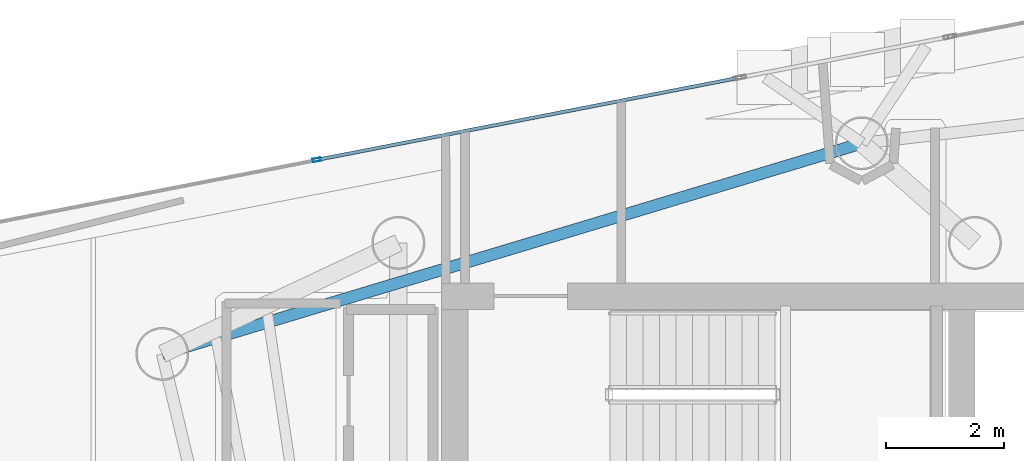
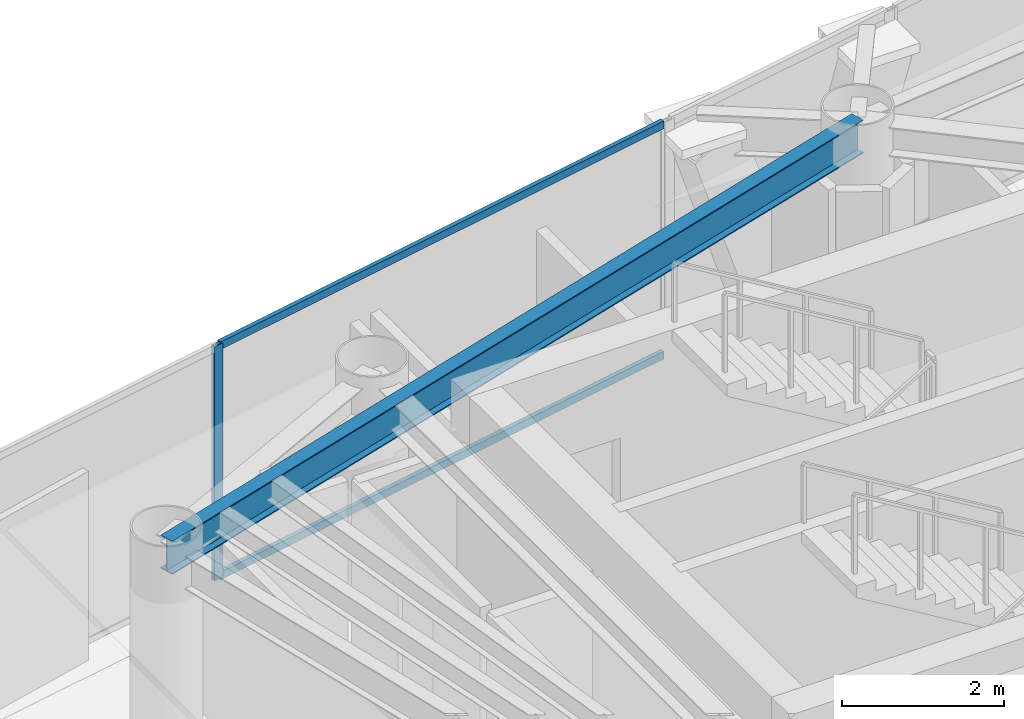
# One storey, part 10 of 22: 3 members, 1 beam, 1 element without a shape of its own.
"""IFC4 building model written with IfcOpenShell, lengths in metres."""

from ifc_helpers import new_model, si_unit, direction, frame, origin, origin_2d, place, context, subcontext, project, spatial, hollow_rectangle, i_section, extrude, material, layer, layer_set, material_profile, profile_set, type_object, element, aggregate, save


model = new_model("IFC4")

# Units and contexts
model_context = context("Model", 3, precision=1e-05, world=origin(), true_north=direction((0.0, 1.0)))
body_context = subcontext(model_context, "Body", "Model", "MODEL_VIEW")
ifc_project = project(units=[si_unit("LENGTHUNIT", "METRE"), si_unit("AREAUNIT", "SQUARE_METRE"), si_unit("VOLUMEUNIT", "CUBIC_METRE"), si_unit("PLANEANGLEUNIT", "RADIAN"), si_unit("MASSUNIT", "GRAM", prefix="KILO")], contexts=[model_context])

# Site, building, storey
site_placement = place(None, origin())
site = spatial("IfcSite", under=ifc_project, at=site_placement, CompositionType="ELEMENT")
building_placement = place(site_placement, origin())
building = spatial("IfcBuilding", under=site, at=building_placement, Name="Qianvela Tower", CompositionType="ELEMENT")
storey_placement = place(building_placement, frame((0.0, 0.0, 299.10009765625)))
storey = spatial("IfcBuildingStorey", under=building, at=storey_placement, Name="L77", CompositionType="ELEMENT", Elevation=299.10009765625)

# Beam
ifc_material_1 = material(Name="Steel Q355B", Category="steel")
ifc_material_profile_1 = material_profile(ifc_material_1, i_section(OverallWidth=0.199951171875, OverallDepth=0.5, WebThickness=0.010009765625, FlangeThickness=0.01611328125, at=origin_2d()), Name="HN500x200x10x16")
ifc_profile_set_1 = profile_set([ifc_material_profile_1], Name="Steel Q355B")
beam_type = type_object("IfcBeamType", Name="BM-HN500-GIRD", PredefinedType="BEAM", material=ifc_profile_set_1)
beam_placement = place(storey_placement, frame((36.47607421875, 35.242919921875, 3.267822265625), z_axis=(-0.957535726794, -0.288314640478, 0.0), x_axis=(0.288314640478, -0.957535726794, 0.0)))
element("IfcBeam", 1, at=beam_placement, inside=storey, type_object=beam_type, Name="L77 Perimeter Ring Spandrel Girder 2", PredefinedType="BEAM", context=body_context, shape_type="SweptSolid", body=[
    extrude(i_section(OverallWidth=0.199951171875, OverallDepth=0.5, WebThickness=0.010009765625, FlangeThickness=0.01611328125, at=origin_2d()), origin(), (0.0, 0.0, 1.0), 12.41650390625),
])

# Curtain wall, members
ifc_material_2 = material(Name="Anodised Architectural Aluminium and Low-E Glass", Category="aluminium")
ifc_layer = layer(ifc_material_2, 0.14990234375)
ifc_layer_set = layer_set([ifc_layer], Name="Anodised Architectural Aluminium and Low-E Glass")
curtain_wall_type = type_object("IfcCurtainWallType", Name="CW-COLIV-Z78", PredefinedType="USERDEFINED", material=ifc_layer_set)
curtain_wall_placement = place(storey_placement, origin())
curtain_wall = element("IfcCurtainWall", 2, at=curtain_wall_placement, inside=storey, type_object=curtain_wall_type, Name="L77 CW-COLIV-Z78 Curtain Wall 02C", ObjectType="CURTAIN_WALL_SYSTEM", PredefinedType="USERDEFINED")
ifc_material_3 = material(Name="Anodised Architectural Aluminium 6063-T6", Category="aluminium")
ifc_material_profile_2 = material_profile(ifc_material_3, hollow_rectangle(XDim=0.06005859375, YDim=0.139892578125, WallThickness=0.00439453125, at=origin_2d()), Name="ALU-MULL-60x140")
ifc_profile_set_2 = profile_set([ifc_material_profile_2], Name="Anodised Architectural Aluminium 6063-T6")
member_type_1 = type_object("IfcMemberType", Name="CW-COLIV-Z78-MULL", PredefinedType="MULLION", material=ifc_profile_set_2)
member_1_placement = place(storey_placement, frame((27.213134765625, 34.961181640625, 0.0), z_axis=(0.0, 0.0, 1.0), x_axis=(0.190932552207, -0.981603158363, 0.0)))
member_1 = element("IfcMember", 3, at=member_1_placement, type_object=member_type_1, Name="CW-6 mullion 2", PredefinedType="MULLION", context=body_context, shape_type="SweptSolid", body=[
    extrude(hollow_rectangle(XDim=0.06005859375, YDim=0.139892578125, WallThickness=0.00439453125, at=origin_2d()), origin(), (0.0, 0.0, 1.0), 3.52001953125),
])
ifc_material_4 = material(Name="Anodised Architectural Aluminium 6063-T6", Category="aluminium")
ifc_material_profile_3 = material_profile(ifc_material_4, hollow_rectangle(XDim=0.06005859375, YDim=0.114990234375, WallThickness=0.00390625, at=origin_2d()), Name="ALU-TRAN-60x115")
ifc_profile_set_3 = profile_set([ifc_material_profile_3], Name="Anodised Architectural Aluminium 6063-T6")
member_type_2 = type_object("IfcMemberType", Name="CW-COLIV-Z78-TRAN", PredefinedType="USERDEFINED", material=ifc_profile_set_3)
member_2_placement = place(storey_placement, frame((34.339599609375, 36.347412109375, 0.02978515625), z_axis=(-0.981604667693, -0.19092479243, 0.0), x_axis=(0.19092479243, -0.981604667693, 0.0)))
member_2 = element("IfcMember", 4, at=member_2_placement, type_object=member_type_2, Name="CW-6 transom 1.1", ObjectType="TRANSOM", PredefinedType="USERDEFINED", context=body_context, shape_type="SweptSolid", body=[
    extrude(hollow_rectangle(XDim=0.06005859375, YDim=0.114990234375, WallThickness=0.00390625, at=origin_2d()), origin(), (0.0, 0.0, 1.0), 7.22998046875),
])
member_3_placement = place(storey_placement, frame((34.339599609375, 36.347412109375, 3.489990234375), z_axis=(-0.981604667693, -0.19092479243, 0.0), x_axis=(0.19092479243, -0.981604667693, 0.0)))
member_3 = element("IfcMember", 5, at=member_3_placement, type_object=member_type_2, Name="CW-6 transom 1.2", ObjectType="TRANSOM", PredefinedType="USERDEFINED", context=body_context, shape_type="SweptSolid", body=[
    extrude(hollow_rectangle(XDim=0.06005859375, YDim=0.114990234375, WallThickness=0.00390625, at=origin_2d()), origin(), (0.0, 0.0, 1.0), 7.22998046875),
])
aggregate(curtain_wall, [member_1, member_2, member_3])

save(model, "model.ifc")
